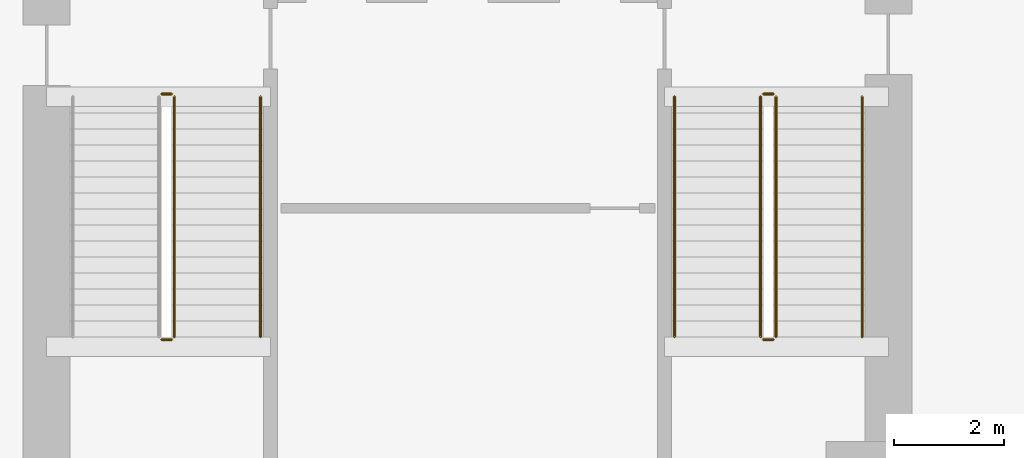
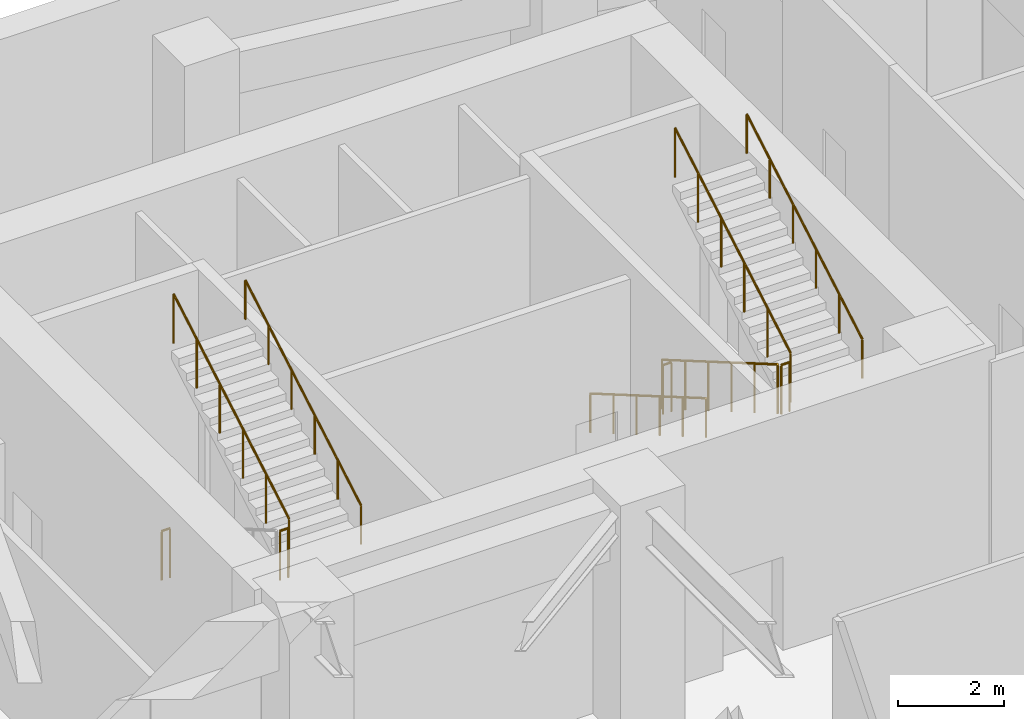
# One storey, part 8 of 9: 10 railings.
"""IFC4 building model written with IfcOpenShell, lengths in metres."""

from ifc_helpers import new_model, si_unit, direction, frame, origin, origin_2d, place, context, subcontext, project, spatial, circle, extrude, material, type_object, element, save


model = new_model("IFC4")

# Units and contexts
model_context = context("Model", 3, precision=1e-05, world=origin(), true_north=direction((0.0, 1.0)))
body_context = subcontext(model_context, "Body", "Model", "MODEL_VIEW")
ifc_project = project(units=[si_unit("LENGTHUNIT", "METRE"), si_unit("AREAUNIT", "SQUARE_METRE"), si_unit("VOLUMEUNIT", "CUBIC_METRE"), si_unit("PLANEANGLEUNIT", "RADIAN"), si_unit("MASSUNIT", "GRAM", prefix="KILO")], contexts=[model_context])

# Site, building, storey
site_placement = place(None, origin())
site = spatial("IfcSite", under=ifc_project, at=site_placement, CompositionType="ELEMENT")
building_placement = place(site_placement, origin())
building = spatial("IfcBuilding", under=site, at=building_placement, Name="Calvemar Wedge Station Tower", CompositionType="ELEMENT")
storey_placement = place(building_placement, frame((0.0, 0.0, -5.39990234375)))
storey = spatial("IfcBuildingStorey", under=building, at=storey_placement, Name="B01", CompositionType="ELEMENT", Elevation=-5.39990234375)

# Railings
ifc_material_1 = material(Name="Stainless steel AISI 316L", Category="steel")
railing_type_1 = type_object("IfcRailingType", Name="RL-HANDRAIL-920", PredefinedType="HANDRAIL", material=ifc_material_1)
railing_1_placement = place(storey_placement, frame((20.050048828125, 36.800048828125, 2.86865234375)))
element("IfcRailing", 1, at=railing_1_placement, inside=storey, type_object=railing_type_1, Name="B01 ST-C1 stair handrail 2", PredefinedType="HANDRAIL", context=body_context, shape_type="SweptSolid", body=[
    extrude(circle(Radius=0.02392578125, at=origin_2d()), frame((0.0, 0.0, 0.89599609375), z_axis=(0.0, 0.864311530196, 0.502956835891), x_axis=(-1.0, 0.0, 0.0)), (0.0, 0.0, 1.0), 5.03271484375),
    extrude(circle(Radius=0.02099609375, at=origin_2d()), origin(), (0.0, 0.0, 1.0), 0.871826171875),
    extrude(circle(Radius=0.02099609375, at=origin_2d()), frame((0.0, 0.869873046875, 0.50634765625)), (0.0, 0.0, 1.0), 0.871826171875),
    extrude(circle(Radius=0.02099609375, at=origin_2d()), frame((0.0, 1.739990234375, 1.012451171875)), (0.0, 0.0, 1.0), 0.871826171875),
    extrude(circle(Radius=0.02099609375, at=origin_2d()), frame((0.0, 2.60986328125, 1.518798828125)), (0.0, 0.0, 1.0), 0.871826171875),
    extrude(circle(Radius=0.02099609375, at=origin_2d()), frame((0.0, 3.47998046875, 2.02490234375)), (0.0, 0.0, 1.0), 0.871826171875),
    extrude(circle(Radius=0.02099609375, at=origin_2d()), frame((0.0, 4.349853515625, 2.53125)), (0.0, 0.0, 1.0), 0.871826171875),
])
railing_2_placement = place(storey_placement, frame((27.550048828125, 41.14990234375, 0.168701171875)))
element("IfcRailing", 2, at=railing_2_placement, inside=storey, type_object=railing_type_1, Name="B01 ST-C2 stair handrail 1", PredefinedType="HANDRAIL", context=body_context, shape_type="SweptSolid", body=[
    extrude(circle(Radius=0.02392578125, at=origin_2d()), frame((0.0, 0.0, 0.89599609375), z_axis=(0.0, -0.864311530196, 0.502956835891), x_axis=(1.0, 0.0, 0.0)), (0.0, 0.0, 1.0), 5.03271484375),
    extrude(circle(Radius=0.02099609375, at=origin_2d()), origin(), (0.0, 0.0, 1.0), 0.871826171875),
    extrude(circle(Radius=0.02099609375, at=origin_2d()), frame((0.0, -0.869873046875, 0.50634765625)), (0.0, 0.0, 1.0), 0.871826171875),
    extrude(circle(Radius=0.02099609375, at=origin_2d()), frame((0.0, -1.739990234375, 1.012451171875)), (0.0, 0.0, 1.0), 0.871826171875),
    extrude(circle(Radius=0.02099609375, at=origin_2d()), frame((0.0, -2.60986328125, 1.518798828125)), (0.0, 0.0, 1.0), 0.871826171875),
    extrude(circle(Radius=0.02099609375, at=origin_2d()), frame((0.0, -3.47998046875, 2.02490234375)), (0.0, 0.0, 1.0), 0.871826171875),
    extrude(circle(Radius=0.02099609375, at=origin_2d()), frame((0.0, -4.349853515625, 2.53125)), (0.0, 0.0, 1.0), 0.871826171875),
])
railing_3_placement = place(storey_placement, frame((30.949951171875, 36.800048828125, 2.86865234375)))
element("IfcRailing", 3, at=railing_3_placement, inside=storey, type_object=railing_type_1, Name="B01 ST-C2 stair handrail 2", PredefinedType="HANDRAIL", context=body_context, shape_type="SweptSolid", body=[
    extrude(circle(Radius=0.02392578125, at=origin_2d()), frame((0.0, 0.0, 0.89599609375), z_axis=(0.0, 0.864311530196, 0.502956835891), x_axis=(-1.0, 0.0, 0.0)), (0.0, 0.0, 1.0), 5.03271484375),
    extrude(circle(Radius=0.02099609375, at=origin_2d()), origin(), (0.0, 0.0, 1.0), 0.871826171875),
    extrude(circle(Radius=0.02099609375, at=origin_2d()), frame((0.0, 0.869873046875, 0.50634765625)), (0.0, 0.0, 1.0), 0.871826171875),
    extrude(circle(Radius=0.02099609375, at=origin_2d()), frame((0.0, 1.739990234375, 1.012451171875)), (0.0, 0.0, 1.0), 0.871826171875),
    extrude(circle(Radius=0.02099609375, at=origin_2d()), frame((0.0, 2.60986328125, 1.518798828125)), (0.0, 0.0, 1.0), 0.871826171875),
    extrude(circle(Radius=0.02099609375, at=origin_2d()), frame((0.0, 3.47998046875, 2.02490234375)), (0.0, 0.0, 1.0), 0.871826171875),
    extrude(circle(Radius=0.02099609375, at=origin_2d()), frame((0.0, 4.349853515625, 2.53125)), (0.0, 0.0, 1.0), 0.871826171875),
])
ifc_material_2 = material(Name="Painted steel guardrail ASTM A500 Grade C", Category="steel")
railing_type_2 = type_object("IfcRailingType", Name="RL-STAIR-GUARD-1150", PredefinedType="GUARDRAIL", material=ifc_material_2)
railing_4_placement = place(storey_placement, frame((18.260009765625, 36.75, 2.699951171875)))
element("IfcRailing", 4, at=railing_4_placement, inside=storey, type_object=railing_type_2, Name="B01 ST-C1 stair guard 2", PredefinedType="GUARDRAIL", context=body_context, shape_type="SweptSolid", body=[
    extrude(circle(Radius=0.02392578125, at=origin_2d()), frame((0.0, 0.0, 1.1259765625), z_axis=(1.0, 0.0, 0.0), x_axis=(0.0, 1.0, 0.0)), (0.0, 0.0, 1.0), 0.179931640625),
    extrude(circle(Radius=0.02099609375, at=origin_2d()), origin(), (0.0, 0.0, 1.0), 1.101806640625),
    extrude(circle(Radius=0.02099609375, at=origin_2d()), frame((0.179931640625, 0.0, 0.0)), (0.0, 0.0, 1.0), 1.101806640625),
])
railing_5_placement = place(storey_placement, frame((18.489990234375, 36.800048828125, 2.86865234375)))
element("IfcRailing", 5, at=railing_5_placement, inside=storey, type_object=railing_type_2, Name="B01 ST-C1 stair guard 3", PredefinedType="GUARDRAIL", context=body_context, shape_type="SweptSolid", body=[
    extrude(circle(Radius=0.02392578125, at=origin_2d()), frame((0.0, 0.0, 1.1259765625), z_axis=(0.0, 0.864311530196, 0.502956835891), x_axis=(-1.0, 0.0, 0.0)), (0.0, 0.0, 1.0), 5.03271484375),
    extrude(circle(Radius=0.02099609375, at=origin_2d()), origin(), (0.0, 0.0, 1.0), 1.101806640625),
    extrude(circle(Radius=0.02099609375, at=origin_2d()), frame((0.0, 0.869873046875, 0.50634765625)), (0.0, 0.0, 1.0), 1.101806640625),
    extrude(circle(Radius=0.02099609375, at=origin_2d()), frame((0.0, 1.739990234375, 1.012451171875)), (0.0, 0.0, 1.0), 1.101806640625),
    extrude(circle(Radius=0.02099609375, at=origin_2d()), frame((0.0, 2.60986328125, 1.518798828125)), (0.0, 0.0, 1.0), 1.101806640625),
    extrude(circle(Radius=0.02099609375, at=origin_2d()), frame((0.0, 3.47998046875, 2.02490234375)), (0.0, 0.0, 1.0), 1.101806640625),
    extrude(circle(Radius=0.02099609375, at=origin_2d()), frame((0.0, 4.349853515625, 2.53125)), (0.0, 0.0, 1.0), 1.101806640625),
])
railing_6_placement = place(storey_placement, frame((18.260009765625, 41.199951171875, 0.0)))
element("IfcRailing", 6, at=railing_6_placement, inside=storey, type_object=railing_type_2, Name="B01 ST-C1 stair guard 4", PredefinedType="GUARDRAIL", context=body_context, shape_type="SweptSolid", body=[
    extrude(circle(Radius=0.02392578125, at=origin_2d()), frame((0.0, 0.0, 1.1259765625), z_axis=(1.0, 0.0, 0.0), x_axis=(0.0, 1.0, 0.0)), (0.0, 0.0, 1.0), 0.179931640625),
    extrude(circle(Radius=0.02099609375, at=origin_2d()), origin(), (0.0, 0.0, 1.0), 1.101806640625),
    extrude(circle(Radius=0.02099609375, at=origin_2d()), frame((0.179931640625, 0.0, 0.0)), (0.0, 0.0, 1.0), 1.101806640625),
])
railing_7_placement = place(storey_placement, frame((29.110107421875, 41.14990234375, 0.168701171875)))
element("IfcRailing", 7, at=railing_7_placement, inside=storey, type_object=railing_type_2, Name="B01 ST-C2 stair guard 1", PredefinedType="GUARDRAIL", context=body_context, shape_type="SweptSolid", body=[
    extrude(circle(Radius=0.02392578125, at=origin_2d()), frame((0.0, 0.0, 1.1259765625), z_axis=(0.0, -0.864311530196, 0.502956835891), x_axis=(1.0, 0.0, 0.0)), (0.0, 0.0, 1.0), 5.03271484375),
    extrude(circle(Radius=0.02099609375, at=origin_2d()), origin(), (0.0, 0.0, 1.0), 1.101806640625),
    extrude(circle(Radius=0.02099609375, at=origin_2d()), frame((0.0, -0.869873046875, 0.50634765625)), (0.0, 0.0, 1.0), 1.101806640625),
    extrude(circle(Radius=0.02099609375, at=origin_2d()), frame((0.0, -1.739990234375, 1.012451171875)), (0.0, 0.0, 1.0), 1.101806640625),
    extrude(circle(Radius=0.02099609375, at=origin_2d()), frame((0.0, -2.60986328125, 1.518798828125)), (0.0, 0.0, 1.0), 1.101806640625),
    extrude(circle(Radius=0.02099609375, at=origin_2d()), frame((0.0, -3.47998046875, 2.02490234375)), (0.0, 0.0, 1.0), 1.101806640625),
    extrude(circle(Radius=0.02099609375, at=origin_2d()), frame((0.0, -4.349853515625, 2.53125)), (0.0, 0.0, 1.0), 1.101806640625),
])
railing_8_placement = place(storey_placement, frame((29.159912109375, 36.75, 2.699951171875)))
element("IfcRailing", 8, at=railing_8_placement, inside=storey, type_object=railing_type_2, Name="B01 ST-C2 stair guard 2", PredefinedType="GUARDRAIL", context=body_context, shape_type="SweptSolid", body=[
    extrude(circle(Radius=0.02392578125, at=origin_2d()), frame((0.0, 0.0, 1.1259765625), z_axis=(1.0, 0.0, 0.0), x_axis=(0.0, 1.0, 0.0)), (0.0, 0.0, 1.0), 0.18017578125),
    extrude(circle(Radius=0.02099609375, at=origin_2d()), origin(), (0.0, 0.0, 1.0), 1.101806640625),
    extrude(circle(Radius=0.02099609375, at=origin_2d()), frame((0.18017578125, 0.0, 0.0)), (0.0, 0.0, 1.0), 1.101806640625),
])
railing_9_placement = place(storey_placement, frame((29.389892578125, 36.800048828125, 2.86865234375)))
element("IfcRailing", 9, at=railing_9_placement, inside=storey, type_object=railing_type_2, Name="B01 ST-C2 stair guard 3", PredefinedType="GUARDRAIL", context=body_context, shape_type="SweptSolid", body=[
    extrude(circle(Radius=0.02392578125, at=origin_2d()), frame((0.0, 0.0, 1.1259765625), z_axis=(0.0, 0.864311530196, 0.502956835891), x_axis=(-1.0, 0.0, 0.0)), (0.0, 0.0, 1.0), 5.03271484375),
    extrude(circle(Radius=0.02099609375, at=origin_2d()), origin(), (0.0, 0.0, 1.0), 1.101806640625),
    extrude(circle(Radius=0.02099609375, at=origin_2d()), frame((0.0, 0.869873046875, 0.50634765625)), (0.0, 0.0, 1.0), 1.101806640625),
    extrude(circle(Radius=0.02099609375, at=origin_2d()), frame((0.0, 1.739990234375, 1.012451171875)), (0.0, 0.0, 1.0), 1.101806640625),
    extrude(circle(Radius=0.02099609375, at=origin_2d()), frame((0.0, 2.60986328125, 1.518798828125)), (0.0, 0.0, 1.0), 1.101806640625),
    extrude(circle(Radius=0.02099609375, at=origin_2d()), frame((0.0, 3.47998046875, 2.02490234375)), (0.0, 0.0, 1.0), 1.101806640625),
    extrude(circle(Radius=0.02099609375, at=origin_2d()), frame((0.0, 4.349853515625, 2.53125)), (0.0, 0.0, 1.0), 1.101806640625),
])
railing_10_placement = place(storey_placement, frame((29.159912109375, 41.199951171875, 0.0)))
element("IfcRailing", 10, at=railing_10_placement, inside=storey, type_object=railing_type_2, Name="B01 ST-C2 stair guard 4", PredefinedType="GUARDRAIL", context=body_context, shape_type="SweptSolid", body=[
    extrude(circle(Radius=0.02392578125, at=origin_2d()), frame((0.0, 0.0, 1.1259765625), z_axis=(1.0, 0.0, 0.0), x_axis=(0.0, 1.0, 0.0)), (0.0, 0.0, 1.0), 0.18017578125),
    extrude(circle(Radius=0.02099609375, at=origin_2d()), origin(), (0.0, 0.0, 1.0), 1.101806640625),
    extrude(circle(Radius=0.02099609375, at=origin_2d()), frame((0.18017578125, 0.0, 0.0)), (0.0, 0.0, 1.0), 1.101806640625),
])

save(model, "model.ifc")
